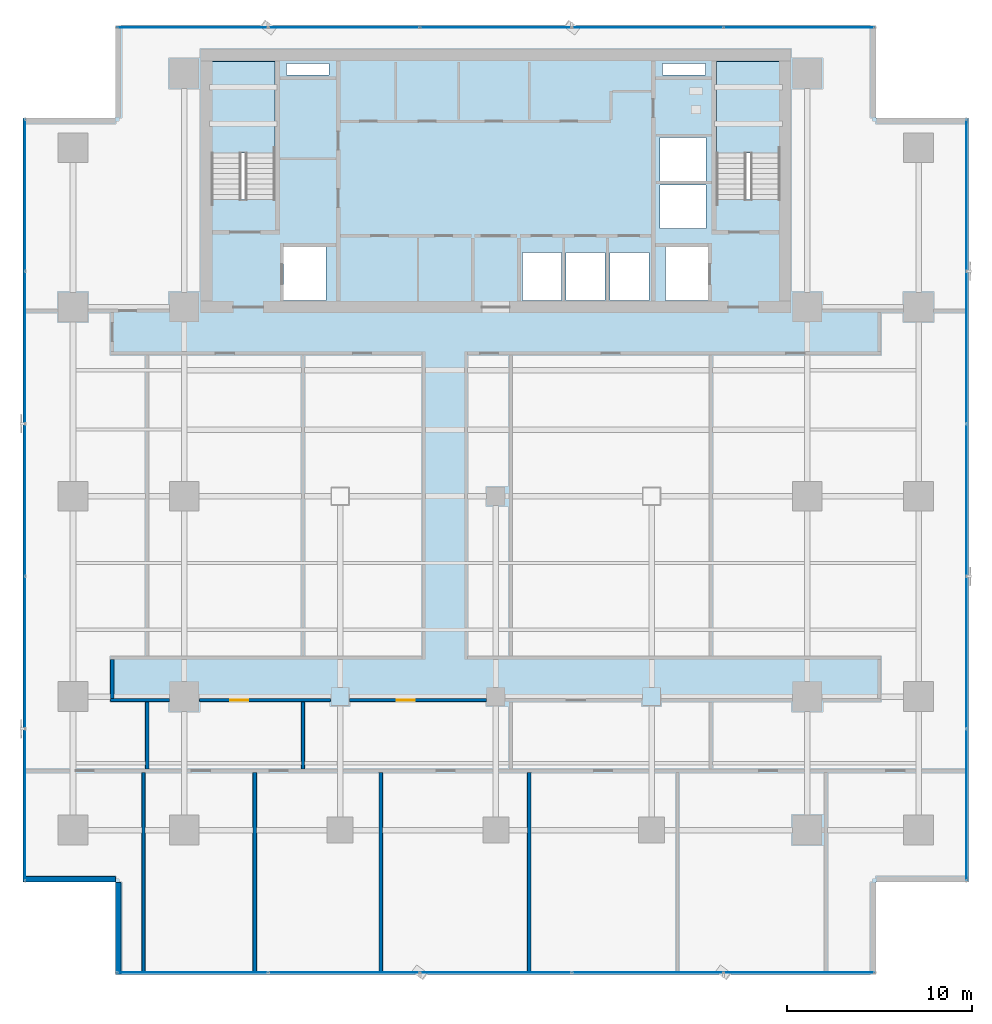
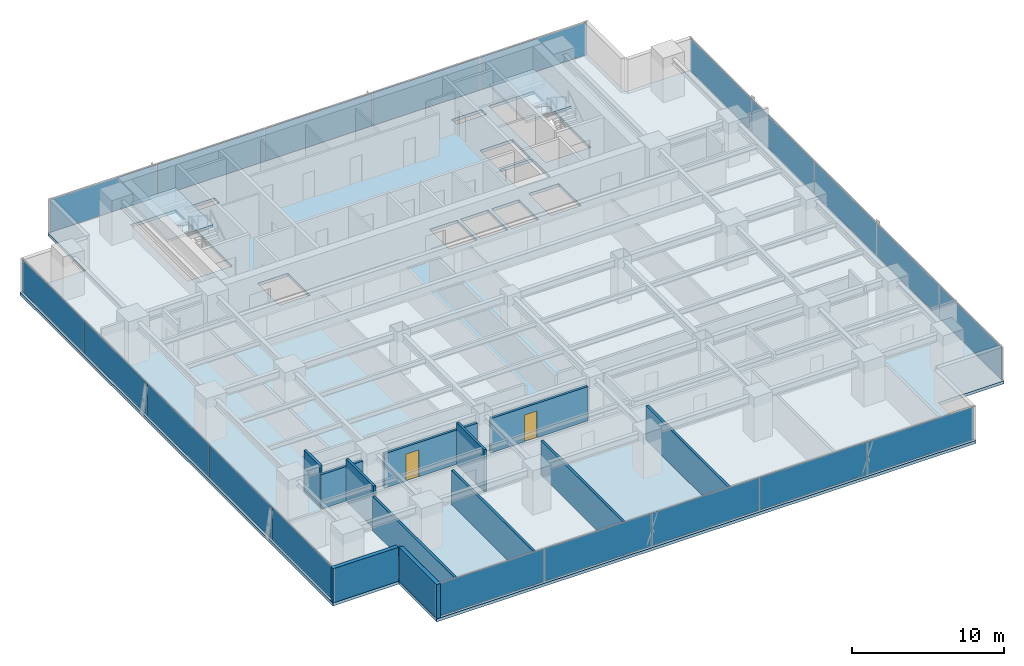
# One storey, part 27 of 37: 20 plates, 12 walls, 3 slabs, 2 doors, 2 openings, 6 elements without a shape of their own.
"""IFC4 building model written with IfcOpenShell, lengths in metres."""

import ifcopenshell
import ifcopenshell.guid

model = None  # the IFC model being written
_history = None  # IfcOwnerHistory: only IFC2X3 demands one
_inside = {}  # id of a spatial element -> (the spatial element, [elements in it])
_under = {}  # id of a project, library or spatial element -> (it, [spatial elements below it])
_declared = {}  # id of a project -> (the project, [libraries it declares])
_typed = {}  # id of a type object -> (the type object, [elements of that type])
_made_of = {}  # id of a material, layer set ... -> (it, [elements and type objects made of it])


def new_model(schema):
    """Start an empty IFC model of exactly this schema.

    Asked for "IFC4X3", IfcOpenShell would pick the latest addendum, in which some entities
    have other attributes; the version numbers below select the first issue.
    IFC2X3 requires an IfcOwnerHistory on every rooted entity: one is made here for all.
    """
    global model, _history
    if schema == "IFC4X3":
        model = ifcopenshell.file(schema_version=(4, 3, 0, 0))
    else:
        model = ifcopenshell.file(schema=schema)
    _inside.clear()
    _under.clear()
    _declared.clear()
    _typed.clear()
    _made_of.clear()
    _history = None
    if model.schema == "IFC2X3":
        org = make("IfcOrganization", Name="unknown")
        user = make(
            "IfcPersonAndOrganization",
            ThePerson=make("IfcPerson", FamilyName="unknown"),
            TheOrganization=org,
        )
        app = make(
            "IfcApplication",
            ApplicationDeveloper=org,
            Version="unknown",
            ApplicationFullName="unknown",
            ApplicationIdentifier="unknown",
        )
        _history = make(
            "IfcOwnerHistory",
            OwningUser=user,
            OwningApplication=app,
            ChangeAction="ADDED",
            CreationDate=0,
        )
    return model


def make(cls, **values):
    """One entity of the class cls with the attributes given. An attribute that is None is left unset."""
    return model.create_entity(
        cls, **{name: value for name, value in values.items() if value is not None}
    )


def rooted(cls, **values):
    """An entity with a GlobalId (a new one), such as an element, a storey or a relation."""
    return make(cls, GlobalId=ifcopenshell.guid.new(), OwnerHistory=_history, **values)


def si_unit(unit_type, name, prefix=None):
    """IfcSIUnit, for example si_unit("LENGTHUNIT", "METRE", prefix="MILLI")."""
    return make("IfcSIUnit", UnitType=unit_type, Prefix=prefix, Name=name)


def assignment(units):
    """IfcUnitAssignment: the units of a project."""
    return None if units is None else make("IfcUnitAssignment", Units=units)


def point(xyz):
    """IfcCartesianPoint."""
    return None if xyz is None else make("IfcCartesianPoint", Coordinates=xyz)


def direction(xyz):
    """IfcDirection."""
    return None if xyz is None else make("IfcDirection", DirectionRatios=xyz)


def frame(location, z_axis=None, x_axis=None):
    """IfcAxis2Placement3D, a coordinate frame: its origin and axes. An axis left out is left unset."""
    return make(
        "IfcAxis2Placement3D",
        Location=point(location),
        Axis=direction(z_axis),
        RefDirection=direction(x_axis),
    )


def frame_2d(location, x_axis=None):
    """IfcAxis2Placement2D, a coordinate frame in the plane: its origin and x axis."""
    return make(
        "IfcAxis2Placement2D", Location=point(location), RefDirection=direction(x_axis)
    )


def origin():
    """The frame at (0, 0, 0) with its axes left unset."""
    return frame((0.0, 0.0, 0.0))


def origin_2d():
    """The frame at (0, 0) in the plane with its x axis left unset."""
    return frame_2d((0.0, 0.0))


def place(relative_to, where):
    """IfcLocalPlacement: puts the frame where relative to a parent placement (None: the world)."""
    return make(
        "IfcLocalPlacement", PlacementRelTo=relative_to, RelativePlacement=where
    )


def context(
    kind, dimensions, precision=None, world=None, true_north=None, identifier=None
):
    """IfcGeometricRepresentationContext, for example the 3D "Model" context."""
    return make(
        "IfcGeometricRepresentationContext",
        ContextIdentifier=identifier,
        ContextType=kind,
        CoordinateSpaceDimension=dimensions,
        Precision=precision,
        WorldCoordinateSystem=world,
        TrueNorth=true_north,
    )


def subcontext(parent, identifier, kind, view, scale=None):
    """IfcGeometricRepresentationSubContext, for example "Body" below "Model"."""
    return make(
        "IfcGeometricRepresentationSubContext",
        ContextIdentifier=identifier,
        ContextType=kind,
        ParentContext=parent,
        TargetScale=scale,
        TargetView=view,
    )


def project(units=None, contexts=None):
    """IfcProject with its units and contexts."""
    return rooted(
        "IfcProject",
        Name="project",
        RepresentationContexts=contexts,
        UnitsInContext=assignment(units),
    )


def spatial(cls, under=None, at=None, **own):
    """A site, building, storey or space (cls), placed at a placement, below another one or the project."""
    s = rooted(cls, ObjectPlacement=at, **own)
    if under is not None:
        _under.setdefault(under.id(), (under, []))[1].append(s)
    return s


def polyline(points):
    """IfcPolyline through the points."""
    return make("IfcPolyline", Points=[point(p) for p in points])


def profile(cls, at=None, kind="AREA", **sizes):
    """A parametric profile (cls). Its sizes go by their IFC names, for example OverallWidth=200.0."""
    return make(cls, ProfileType=kind, Position=at, **sizes)


def rectangle(**sizes):
    """IfcRectangleProfileDef."""
    return profile("IfcRectangleProfileDef", **sizes)


def outline(outer, holes=None, kind="AREA"):
    """IfcArbitraryClosedProfileDef: a profile drawn as a closed curve; with holes, ...WithVoids."""
    if holes is None:
        return make("IfcArbitraryClosedProfileDef", ProfileType=kind, OuterCurve=outer)
    return make(
        "IfcArbitraryProfileDefWithVoids",
        ProfileType=kind,
        OuterCurve=outer,
        InnerCurves=holes,
    )


def extrude(swept, where, along, depth):
    """IfcExtrudedAreaSolid: the profile swept, set in the frame where, extruded along a direction by depth."""
    return make(
        "IfcExtrudedAreaSolid",
        SweptArea=swept,
        Position=where,
        ExtrudedDirection=direction(along),
        Depth=depth,
    )


def shape(context_of_items, identifier, shape_type, items):
    """IfcShapeRepresentation: the items that make up one representation, for example the "Body"."""
    return make(
        "IfcShapeRepresentation",
        ContextOfItems=context_of_items,
        RepresentationIdentifier=identifier,
        RepresentationType=shape_type,
        Items=items,
    )


def source(mapping_origin, context_of_items, identifier, shape_type, items):
    """IfcRepresentationMap: a shape defined once, which mapped items show again and again."""
    return make(
        "IfcRepresentationMap",
        MappingOrigin=mapping_origin,
        MappedRepresentation=shape(context_of_items, identifier, shape_type, items),
    )


def transform(
    local_origin,
    x_axis=None,
    y_axis=None,
    z_axis=None,
    scale=None,
    scale2=None,
    scale3=None,
    uniform=True,
):
    """IfcCartesianTransformationOperator3D, or its non-uniform kind. x_axis, y_axis, z_axis: its Axis1, 2, 3."""
    if uniform:
        return make(
            "IfcCartesianTransformationOperator3D",
            Axis1=direction(x_axis),
            Axis2=direction(y_axis),
            LocalOrigin=point(local_origin),
            Scale=scale,
            Axis3=direction(z_axis),
        )
    return make(
        "IfcCartesianTransformationOperator3DnonUniform",
        Axis1=direction(x_axis),
        Axis2=direction(y_axis),
        LocalOrigin=point(local_origin),
        Scale=scale,
        Axis3=direction(z_axis),
        Scale2=scale2,
        Scale3=scale3,
    )


def mapped(mapping_source, mapping_target):
    """IfcMappedItem: shows the shape of a source again, moved by a transform."""
    return make(
        "IfcMappedItem", MappingSource=mapping_source, MappingTarget=mapping_target
    )


def material(Name=None, Category=None):
    """IfcMaterial."""
    return make("IfcMaterial", Name=Name, Category=Category)


def layer(
    of_material, thickness, ventilated=None, Name=None, Category=None, Priority=None
):
    """IfcMaterialLayer: one layer of a wall or slab, of a material (None: an air gap)."""
    return make(
        "IfcMaterialLayer",
        Material=of_material,
        LayerThickness=thickness,
        IsVentilated=ventilated,
        Name=Name,
        Category=Category,
        Priority=Priority,
    )


def layer_set(layers, Name=None):
    """IfcMaterialLayerSet."""
    return make("IfcMaterialLayerSet", MaterialLayers=layers, LayerSetName=Name)


def made_of(thing, what):
    """Note that an element or type object is made of a material, layer set ...; save() writes the relation."""
    if what is not None:
        _made_of.setdefault(what.id(), (what, []))[1].append(thing)
    return thing


def type_object(cls, material=None, **own):
    """A type object (cls), such as IfcWallType, which elements share."""
    return made_of(rooted(cls, **own), material)


def element(
    cls,
    number,
    at=None,
    inside=None,
    cuts=None,
    type_object=None,
    material=None,
    context=None,
    identifier="Body",
    shape_type=None,
    held_by="IfcProductDefinitionShape",
    body=None,
    shapes=None,
    **own,
):
    """One element of the class cls, such as IfcWall. Its Tag is "e" and its number.

    at: its placement. inside: the storey or other place that contains it. cuts: it is an
    opening in that element (IfcRelVoidsElement). A single representation is given by context,
    identifier, shape_type and body (its items); several are given by shapes. held_by: the class
    of the entity that holds the representations. save() writes the other relations.
    """
    e = rooted(cls, Tag="e%d" % number, ObjectPlacement=at, **own)
    if body is not None:
        shapes = [shape(context, identifier, shape_type, body)]
    if shapes is not None:
        e.Representation = make(held_by, Representations=shapes)
    if inside is not None:
        _inside.setdefault(inside.id(), (inside, []))[1].append(e)
    if cuts is not None:
        rooted(
            "IfcRelVoidsElement", RelatingBuildingElement=cuts, RelatedOpeningElement=e
        )
    if type_object is not None:
        _typed.setdefault(type_object.id(), (type_object, []))[1].append(e)
    return made_of(e, material)


def fill(opening, filler):
    """IfcRelFillsElement: the door or window that sits in an opening."""
    return rooted(
        "IfcRelFillsElement",
        RelatingOpeningElement=opening,
        RelatedBuildingElement=filler,
    )


def aggregate(whole, parts):
    """IfcRelAggregates: a whole, such as a stair, and the parts it consists of."""
    return rooted("IfcRelAggregates", RelatingObject=whole, RelatedObjects=parts)


def save(model, path):
    """Write the relations noted so far, then the file.

    IfcRelAggregates (storeys below a building ...), IfcRelContainedInSpatialStructure (elements
    in a storey), IfcRelDefinesByType, IfcRelAssociatesMaterial and IfcRelDeclares: one each for
    every whole, place, type object, material and project.
    """
    for whole, parts in _under.values():
        aggregate(whole, parts)
    for where, things in _inside.values():
        rooted(
            "IfcRelContainedInSpatialStructure",
            RelatedElements=things,
            RelatingStructure=where,
        )
    for kind, things in _typed.values():
        rooted("IfcRelDefinesByType", RelatedObjects=things, RelatingType=kind)
    for what, things in _made_of.values():
        rooted("IfcRelAssociatesMaterial", RelatedObjects=things, RelatingMaterial=what)
    for by, libraries in _declared.values():
        rooted("IfcRelDeclares", RelatingContext=by, RelatedDefinitions=libraries)
    model.write(path)


model = new_model("IFC4")

# Units and contexts
model_context = context("Model", 3, precision=1e-05, world=origin(), true_north=direction((0.0, 1.0)))
body_context = subcontext(model_context, "Body", "Model", "MODEL_VIEW")
ifc_project = project(units=[si_unit("LENGTHUNIT", "METRE"), si_unit("AREAUNIT", "SQUARE_METRE"), si_unit("VOLUMEUNIT", "CUBIC_METRE"), si_unit("PLANEANGLEUNIT", "RADIAN"), si_unit("MASSUNIT", "GRAM", prefix="KILO")], contexts=[model_context])

# Site, building, storey
site_placement = place(None, origin())
site = spatial("IfcSite", under=ifc_project, at=site_placement, CompositionType="ELEMENT")
building_placement = place(site_placement, origin())
building = spatial("IfcBuilding", under=site, at=building_placement, Name="Sumidabori Civic Tower", CompositionType="ELEMENT")
storey_placement = place(building_placement, frame((0.0, 0.0, 117.199951171875)))
storey = spatial("IfcBuildingStorey", under=building, at=storey_placement, Name="L30", CompositionType="ELEMENT", Elevation=117.199951171875)

# Stair, slab
ifc_material_1 = material(Name="Concrete C40/50", Category="concrete")
stair_type = type_object("IfcStairType", Name="ST-CORE-1600", PredefinedType="HALF_TURN_STAIR", material=ifc_material_1)
stair_1_placement = place(storey_placement, origin())
stair_1 = element("IfcStair", 1, at=stair_1_placement, inside=storey, type_object=stair_type, Name="L30 ST-1", PredefinedType="HALF_TURN_STAIR")
ifc_layer_1 = layer(ifc_material_1, 0.199951171875, Name="Concrete C40/50")
ifc_layer_set_1 = layer_set([ifc_layer_1], Name="Concrete C40/50")
slab_type_1 = type_object("IfcSlabType", Name="SL-LAND-200", PredefinedType="LANDING", material=ifc_layer_set_1)
slab_1_placement = place(storey_placement, frame((0.0, 0.0, 1.60009765625)))
slab_1 = element("IfcSlab", 2, at=slab_1_placement, type_object=slab_type_1, Name="ST-1 landing 1", PredefinedType="LANDING", context=body_context, shape_type="SweptSolid", body=[
    extrude(outline(polyline([(-11.89990234375, 18.52001953125), (-11.89990234375, 23.449951171875), (-15.340087890625, 23.449951171875), (-15.340087890625, 18.52001953125), (-11.89990234375, 18.52001953125)])), origin(), (0.0, 0.0, 1.0), 0.199951171875),
])
aggregate(stair_1, [slab_1])

stair_2_placement = place(storey_placement, origin())
stair_2 = element("IfcStair", 3, at=stair_2_placement, inside=storey, type_object=stair_type, Name="L30 ST-2", PredefinedType="HALF_TURN_STAIR")
slab_2_placement = place(storey_placement, frame((0.0, 0.0, 1.60009765625)))
slab_2 = element("IfcSlab", 4, at=slab_2_placement, type_object=slab_type_1, Name="ST-2 landing 1", PredefinedType="LANDING", context=body_context, shape_type="SweptSolid", body=[
    extrude(outline(polyline([(15.340087890625, 18.52001953125), (15.340087890625, 23.449951171875), (11.89990234375, 23.449951171875), (11.89990234375, 18.52001953125), (15.340087890625, 18.52001953125)])), origin(), (0.0, 0.0, 1.0), 0.199951171875),
])
aggregate(stair_2, [slab_2])

# Slab
ifc_layer_2 = layer(ifc_material_1, 0.239990234375, Name="Concrete C40/50")
ifc_layer_set_2 = layer_set([ifc_layer_2], Name="Concrete C40/50")
slab_type_2 = type_object("IfcSlabType", Name="SL-Z1-240", PredefinedType="FLOOR", material=ifc_layer_set_2)
slab_3_placement = place(storey_placement, frame((0.0, 0.0, -0.239990234375)))
element("IfcSlab", 5, at=slab_3_placement, inside=storey, type_object=slab_type_2, Name="Structural Slab L30", PredefinedType="FLOOR", context=body_context, shape_type="SweptSolid", body=[
    extrude(outline(polyline([(-20.5, -25.800048828125), (20.5, -25.800048828125), (20.5, -20.800048828125), (25.5, -20.800048828125), (25.5, 20.39990234375), (20.5, 20.39990234375), (20.5, 25.39990234375), (-20.5, 25.39990234375), (-20.5, 20.39990234375), (-25.5, 20.39990234375), (-25.5, -20.800048828125), (-20.5, -20.800048828125), (-20.5, -25.800048828125)]), holes=[polyline([(-11.89990234375, 16.0), (-11.89990234375, 23.449951171875), (-15.340087890625, 23.449951171875), (-15.340087890625, 16.0), (-11.89990234375, 16.0)]), polyline([(15.340087890625, 16.0), (15.340087890625, 23.449951171875), (11.89990234375, 23.449951171875), (11.89990234375, 16.0), (15.340087890625, 16.0)]), polyline([(-11.449951171875, 10.550048828125), (-9.14990234375, 10.550048828125), (-9.14990234375, 13.449951171875), (-11.449951171875, 13.449951171875), (-11.449951171875, 10.550048828125)]), polyline([(9.14990234375, 10.550048828125), (11.449951171875, 10.550048828125), (11.449951171875, 13.449951171875), (9.14990234375, 13.449951171875), (9.14990234375, 10.550048828125)]), polyline([(1.449951171875, 10.550048828125), (3.550048828125, 10.550048828125), (3.550048828125, 13.14990234375), (1.449951171875, 13.14990234375), (1.449951171875, 10.550048828125)]), polyline([(3.800048828125, 10.550048828125), (5.89990234375, 10.550048828125), (5.89990234375, 13.14990234375), (3.800048828125, 13.14990234375), (3.800048828125, 10.550048828125)]), polyline([(6.14990234375, 10.550048828125), (8.25, 10.550048828125), (8.25, 13.14990234375), (6.14990234375, 13.14990234375), (6.14990234375, 10.550048828125)]), polyline([(8.85009765625, 14.449951171875), (11.35009765625, 14.449951171875), (11.35009765625, 16.800048828125), (8.85009765625, 16.800048828125), (8.85009765625, 14.449951171875)]), polyline([(8.85009765625, 17.0), (11.35009765625, 17.0), (11.35009765625, 19.35009765625), (8.85009765625, 19.35009765625), (8.85009765625, 17.0)]), polyline([(-11.300048828125, 22.719970703125), (-9.0, 22.719970703125), (-9.0, 23.35009765625), (-11.300048828125, 23.35009765625), (-11.300048828125, 22.719970703125)]), polyline([(9.0, 22.719970703125), (11.300048828125, 22.719970703125), (11.300048828125, 23.35009765625), (9.0, 23.35009765625), (9.0, 22.719970703125)])]), origin(), (0.0, 0.0, 1.0), 0.239990234375),
])

# Curtain wall, plates
ifc_material_2 = material(Name="Anodised Bronze Aluminium AW-6063-T6", Category="aluminium")
ifc_layer_3 = layer(ifc_material_2, 0.179931640625, Name="Anodised Bronze Aluminium AW-6063-T6")
ifc_layer_set_3 = layer_set([ifc_layer_3], Name="Anodised Bronze Aluminium AW-6063-T6")
curtain_wall_type = type_object("IfcCurtainWallType", Name="CW-SYS-3", PredefinedType="NOTDEFINED", material=ifc_layer_set_3)
curtain_wall_1_placement = place(storey_placement, origin())
curtain_wall_1 = element("IfcCurtainWall", 6, at=curtain_wall_1_placement, inside=storey, type_object=curtain_wall_type, Name="Curtain Wall CW:L30:R01", PredefinedType="NOTDEFINED")
ifc_material_3 = material(Name="Low-E Solar-Control Vision Glazing", Category="glass")
ifc_layer_4 = layer(ifc_material_3, 0.028076171875, Name="Low-E Solar-Control Vision Glazing")
ifc_layer_set_4 = layer_set([ifc_layer_4], Name="Low-E Solar-Control Vision Glazing")
plate_type = type_object("IfcPlateType", Name="CW-PNL-28", PredefinedType="CURTAIN_PANEL", material=ifc_layer_set_4)
shared_shape_1 = source(origin(), body_context, "Body", "SweptSolid", [
    extrude(rectangle(XDim=8.090576171875, YDim=0.028076171875, at=origin_2d()), origin(), (0.0, 0.0, 1.0), 2.6201171875),
])
plate_1_placement = place(storey_placement, frame((-16.35986328125, -25.679931640625, 0.06005859375), z_axis=(0.0, 0.0, 1.0), x_axis=(1.0, 0.0, 0.0)))
plate_1 = element("IfcPlate", 7, at=plate_1_placement, type_object=plate_type, Name="CW-3 panel 1.1", PredefinedType="CURTAIN_PANEL", context=body_context, shape_type="MappedRepresentation", body=[
    mapped(shared_shape_1, transform((0.0, 0.0, 0.0), x_axis=(1.0, 0.0, 0.0), y_axis=(0.0, 1.0, 0.0), z_axis=(0.0, 0.0, 1.0), scale=1.0)),
])
plate_2_placement = place(storey_placement, frame((16.35986328125, -25.679931640625, 0.06005859375), z_axis=(0.0, 0.0, 1.0), x_axis=(1.0, 0.0, 0.0)))
plate_2 = element("IfcPlate", 8, at=plate_2_placement, type_object=plate_type, Name="CW-3 panel 5.1", PredefinedType="CURTAIN_PANEL", context=body_context, shape_type="MappedRepresentation", body=[
    mapped(shared_shape_1, transform((0.0, 0.0, 0.0), x_axis=(1.0, 0.0, 0.0), y_axis=(0.0, 1.0, 0.0), z_axis=(0.0, 0.0, 1.0), scale=1.0)),
])

curtain_wall_2_placement = place(storey_placement, origin())
curtain_wall_2 = element("IfcCurtainWall", 9, at=curtain_wall_2_placement, inside=storey, type_object=curtain_wall_type, Name="Curtain Wall CW:L30:R07", PredefinedType="NOTDEFINED")
plate_3_placement = place(storey_placement, frame((16.35986328125, 25.280029296875, 0.06005859375), z_axis=(0.0, 0.0, 1.0), x_axis=(-1.0, 0.0, 0.0)))
plate_3 = element("IfcPlate", 10, at=plate_3_placement, type_object=plate_type, Name="CW-3 panel 1.1", PredefinedType="CURTAIN_PANEL", context=body_context, shape_type="MappedRepresentation", body=[
    mapped(shared_shape_1, transform((0.0, 0.0, 0.0), x_axis=(1.0, 0.0, 0.0), y_axis=(0.0, 1.0, 0.0), z_axis=(0.0, 0.0, 1.0), scale=1.0)),
])
plate_4_placement = place(storey_placement, frame((-16.35986328125, 25.280029296875, 0.06005859375), z_axis=(0.0, 0.0, 1.0), x_axis=(-1.0, 0.0, 0.0)))
plate_4 = element("IfcPlate", 11, at=plate_4_placement, type_object=plate_type, Name="CW-3 panel 5.1", PredefinedType="CURTAIN_PANEL", context=body_context, shape_type="MappedRepresentation", body=[
    mapped(shared_shape_1, transform((0.0, 0.0, 0.0), x_axis=(1.0, 0.0, 0.0), y_axis=(0.0, 1.0, 0.0), z_axis=(0.0, 0.0, 1.0), scale=1.0)),
])

# Plate
shared_shape_2 = source(origin(), body_context, "Body", "SweptSolid", [
    extrude(rectangle(XDim=8.123046875, YDim=0.028076171875, at=origin_2d()), origin(), (0.0, 0.0, 1.0), 2.6201171875),
])
plate_5_placement = place(storey_placement, frame((-8.18798828125, -25.679931640625, 0.06005859375), z_axis=(0.0, 0.0, 1.0), x_axis=(1.0, 0.0, 0.0)))
plate_5 = element("IfcPlate", 12, at=plate_5_placement, type_object=plate_type, Name="CW-3 panel 2.1", PredefinedType="CURTAIN_PANEL", context=body_context, shape_type="MappedRepresentation", body=[
    mapped(shared_shape_2, transform((0.0, 0.0, 0.0), x_axis=(1.0, 0.0, 0.0), y_axis=(0.0, 1.0, 0.0), z_axis=(0.0, 0.0, 1.0), scale=1.0)),
])

plate_6_placement = place(storey_placement, frame((0.0, -25.679931640625, 0.06005859375), z_axis=(0.0, 0.0, 1.0), x_axis=(1.0, 0.0, 0.0)))
plate_6 = element("IfcPlate", 13, at=plate_6_placement, type_object=plate_type, Name="CW-3 panel 3.1", PredefinedType="CURTAIN_PANEL", context=body_context, shape_type="MappedRepresentation", body=[
    mapped(shared_shape_2, transform((0.0, 0.0, 0.0), x_axis=(1.0, 0.0, 0.0), y_axis=(0.0, 1.0, 0.0), z_axis=(0.0, 0.0, 1.0), scale=1.0)),
])

plate_7_placement = place(storey_placement, frame((8.18798828125, -25.679931640625, 0.06005859375), z_axis=(0.0, 0.0, 1.0), x_axis=(1.0, 0.0, 0.0)))
plate_7 = element("IfcPlate", 14, at=plate_7_placement, type_object=plate_type, Name="CW-3 panel 4.1", PredefinedType="CURTAIN_PANEL", context=body_context, shape_type="MappedRepresentation", body=[
    mapped(shared_shape_2, transform((0.0, 0.0, 0.0), x_axis=(1.0, 0.0, 0.0), y_axis=(0.0, 1.0, 0.0), z_axis=(0.0, 0.0, 1.0), scale=1.0)),
])

aggregate(curtain_wall_1, [plate_1, plate_5, plate_6, plate_7, plate_2])

plate_8_placement = place(storey_placement, frame((8.18798828125, 25.280029296875, 0.06005859375), z_axis=(0.0, 0.0, 1.0), x_axis=(-1.0, 0.0, 0.0)))
plate_8 = element("IfcPlate", 15, at=plate_8_placement, type_object=plate_type, Name="CW-3 panel 2.1", PredefinedType="CURTAIN_PANEL", context=body_context, shape_type="MappedRepresentation", body=[
    mapped(shared_shape_2, transform((0.0, 0.0, 0.0), x_axis=(1.0, 0.0, 0.0), y_axis=(0.0, 1.0, 0.0), z_axis=(0.0, 0.0, 1.0), scale=1.0)),
])

plate_9_placement = place(storey_placement, frame((0.0, 25.280029296875, 0.06005859375), z_axis=(0.0, 0.0, 1.0), x_axis=(-1.0, 0.0, 0.0)))
plate_9 = element("IfcPlate", 16, at=plate_9_placement, type_object=plate_type, Name="CW-3 panel 3.1", PredefinedType="CURTAIN_PANEL", context=body_context, shape_type="MappedRepresentation", body=[
    mapped(shared_shape_2, transform((0.0, 0.0, 0.0), x_axis=(1.0, 0.0, 0.0), y_axis=(0.0, 1.0, 0.0), z_axis=(0.0, 0.0, 1.0), scale=1.0)),
])

plate_10_placement = place(storey_placement, frame((-8.18798828125, 25.280029296875, 0.06005859375), z_axis=(0.0, 0.0, 1.0), x_axis=(-1.0, 0.0, 0.0)))
plate_10 = element("IfcPlate", 17, at=plate_10_placement, type_object=plate_type, Name="CW-3 panel 4.1", PredefinedType="CURTAIN_PANEL", context=body_context, shape_type="MappedRepresentation", body=[
    mapped(shared_shape_2, transform((0.0, 0.0, 0.0), x_axis=(1.0, 0.0, 0.0), y_axis=(0.0, 1.0, 0.0), z_axis=(0.0, 0.0, 1.0), scale=1.0)),
])

aggregate(curtain_wall_2, [plate_3, plate_8, plate_9, plate_10, plate_4])

# Curtain wall, plates
curtain_wall_3_placement = place(storey_placement, origin())
curtain_wall_3 = element("IfcCurtainWall", 18, at=curtain_wall_3_placement, inside=storey, type_object=curtain_wall_type, Name="Curtain Wall CW:L30:R04", PredefinedType="NOTDEFINED")
shared_shape_3 = source(origin(), body_context, "Body", "SweptSolid", [
    extrude(rectangle(XDim=8.130615234375, YDim=0.028076171875, at=origin_2d()), origin(), (0.0, 0.0, 1.0), 2.6201171875),
])
plate_11_placement = place(storey_placement, frame((25.3798828125, -16.6396484375, 0.06005859375), z_axis=(0.0, 0.0, 1.0), x_axis=(0.0, 1.0, 0.0)))
plate_11 = element("IfcPlate", 19, at=plate_11_placement, type_object=plate_type, Name="CW-3 panel 1.1", PredefinedType="CURTAIN_PANEL", context=body_context, shape_type="MappedRepresentation", body=[
    mapped(shared_shape_3, transform((0.0, 0.0, 0.0), x_axis=(1.0, 0.0, 0.0), y_axis=(0.0, 1.0, 0.0), z_axis=(0.0, 0.0, 1.0), scale=1.0)),
])
plate_12_placement = place(storey_placement, frame((25.3798828125, 16.23974609375, 0.06005859375), z_axis=(0.0, 0.0, 1.0), x_axis=(0.0, 1.0, 0.0)))
plate_12 = element("IfcPlate", 20, at=plate_12_placement, type_object=plate_type, Name="CW-3 panel 5.1", PredefinedType="CURTAIN_PANEL", context=body_context, shape_type="MappedRepresentation", body=[
    mapped(shared_shape_3, transform((0.0, 0.0, 0.0), x_axis=(1.0, 0.0, 0.0), y_axis=(0.0, 1.0, 0.0), z_axis=(0.0, 0.0, 1.0), scale=1.0)),
])

curtain_wall_4_placement = place(storey_placement, origin())
curtain_wall_4 = element("IfcCurtainWall", 21, at=curtain_wall_4_placement, inside=storey, type_object=curtain_wall_type, Name="Curtain Wall CW:L30:R10", PredefinedType="NOTDEFINED")
plate_13_placement = place(storey_placement, frame((-25.3798828125, 16.23974609375, 0.06005859375), z_axis=(0.0, 0.0, 1.0), x_axis=(0.0, -1.0, 0.0)))
plate_13 = element("IfcPlate", 22, at=plate_13_placement, type_object=plate_type, Name="CW-3 panel 1.1", PredefinedType="CURTAIN_PANEL", context=body_context, shape_type="MappedRepresentation", body=[
    mapped(shared_shape_3, transform((0.0, 0.0, 0.0), x_axis=(1.0, 0.0, 0.0), y_axis=(0.0, 1.0, 0.0), z_axis=(0.0, 0.0, 1.0), scale=1.0)),
])
plate_14_placement = place(storey_placement, frame((-25.3798828125, -16.6396484375, 0.06005859375), z_axis=(0.0, 0.0, 1.0), x_axis=(0.0, -1.0, 0.0)))
plate_14 = element("IfcPlate", 23, at=plate_14_placement, type_object=plate_type, Name="CW-3 panel 5.1", PredefinedType="CURTAIN_PANEL", context=body_context, shape_type="MappedRepresentation", body=[
    mapped(shared_shape_3, transform((0.0, 0.0, 0.0), x_axis=(1.0, 0.0, 0.0), y_axis=(0.0, 1.0, 0.0), z_axis=(0.0, 0.0, 1.0), scale=1.0)),
])

# Plate
shared_shape_4 = source(origin(), body_context, "Body", "SweptSolid", [
    extrude(rectangle(XDim=8.1630859375, YDim=0.028076171875, at=origin_2d()), origin(), (0.0, 0.0, 1.0), 2.6201171875),
])
plate_15_placement = place(storey_placement, frame((25.3798828125, -8.427978515625, 0.06005859375), z_axis=(0.0, 0.0, 1.0), x_axis=(0.0, 1.0, 0.0)))
plate_15 = element("IfcPlate", 24, at=plate_15_placement, type_object=plate_type, Name="CW-3 panel 2.1", PredefinedType="CURTAIN_PANEL", context=body_context, shape_type="MappedRepresentation", body=[
    mapped(shared_shape_4, transform((0.0, 0.0, 0.0), x_axis=(1.0, 0.0, 0.0), y_axis=(0.0, 1.0, 0.0), z_axis=(0.0, 0.0, 1.0), scale=1.0)),
])

plate_16_placement = place(storey_placement, frame((25.3798828125, -0.199951171875, 0.06005859375), z_axis=(0.0, 0.0, 1.0), x_axis=(0.0, 1.0, 0.0)))
plate_16 = element("IfcPlate", 25, at=plate_16_placement, type_object=plate_type, Name="CW-3 panel 3.1", PredefinedType="CURTAIN_PANEL", context=body_context, shape_type="MappedRepresentation", body=[
    mapped(shared_shape_4, transform((0.0, 0.0, 0.0), x_axis=(1.0, 0.0, 0.0), y_axis=(0.0, 1.0, 0.0), z_axis=(0.0, 0.0, 1.0), scale=1.0)),
])

plate_17_placement = place(storey_placement, frame((25.3798828125, 8.028076171875, 0.06005859375), z_axis=(0.0, 0.0, 1.0), x_axis=(0.0, 1.0, 0.0)))
plate_17 = element("IfcPlate", 26, at=plate_17_placement, type_object=plate_type, Name="CW-3 panel 4.1", PredefinedType="CURTAIN_PANEL", context=body_context, shape_type="MappedRepresentation", body=[
    mapped(shared_shape_4, transform((0.0, 0.0, 0.0), x_axis=(1.0, 0.0, 0.0), y_axis=(0.0, 1.0, 0.0), z_axis=(0.0, 0.0, 1.0), scale=1.0)),
])

aggregate(curtain_wall_3, [plate_11, plate_15, plate_16, plate_17, plate_12])

plate_18_placement = place(storey_placement, frame((-25.3798828125, 8.028076171875, 0.06005859375), z_axis=(0.0, 0.0, 1.0), x_axis=(0.0, -1.0, 0.0)))
plate_18 = element("IfcPlate", 27, at=plate_18_placement, type_object=plate_type, Name="CW-3 panel 2.1", PredefinedType="CURTAIN_PANEL", context=body_context, shape_type="MappedRepresentation", body=[
    mapped(shared_shape_4, transform((0.0, 0.0, 0.0), x_axis=(1.0, 0.0, 0.0), y_axis=(0.0, 1.0, 0.0), z_axis=(0.0, 0.0, 1.0), scale=1.0)),
])

plate_19_placement = place(storey_placement, frame((-25.3798828125, -0.199951171875, 0.06005859375), z_axis=(0.0, 0.0, 1.0), x_axis=(0.0, -1.0, 0.0)))
plate_19 = element("IfcPlate", 28, at=plate_19_placement, type_object=plate_type, Name="CW-3 panel 3.1", PredefinedType="CURTAIN_PANEL", context=body_context, shape_type="MappedRepresentation", body=[
    mapped(shared_shape_4, transform((0.0, 0.0, 0.0), x_axis=(1.0, 0.0, 0.0), y_axis=(0.0, 1.0, 0.0), z_axis=(0.0, 0.0, 1.0), scale=1.0)),
])

plate_20_placement = place(storey_placement, frame((-25.3798828125, -8.427978515625, 0.06005859375), z_axis=(0.0, 0.0, 1.0), x_axis=(0.0, -1.0, 0.0)))
plate_20 = element("IfcPlate", 29, at=plate_20_placement, type_object=plate_type, Name="CW-3 panel 4.1", PredefinedType="CURTAIN_PANEL", context=body_context, shape_type="MappedRepresentation", body=[
    mapped(shared_shape_4, transform((0.0, 0.0, 0.0), x_axis=(1.0, 0.0, 0.0), y_axis=(0.0, 1.0, 0.0), z_axis=(0.0, 0.0, 1.0), scale=1.0)),
])

aggregate(curtain_wall_4, [plate_13, plate_18, plate_19, plate_20, plate_14])

# Walls
ifc_material_4 = material(Name="Precast concrete C40/50", Category="concrete")
ifc_layer_5 = layer(ifc_material_4, 0.300048828125, Name="Precast concrete C40/50")
ifc_layer_set_5 = layer_set([ifc_layer_5], Name="Precast concrete C40/50")
wall_type_1 = type_object("IfcWallType", Name="WL-EXT-POD300", PredefinedType="STANDARD", material=ifc_layer_set_5)
shared_shape_5 = source(origin(), body_context, "Body", "SweptSolid", [
    extrude(rectangle(XDim=4.9599609375, YDim=0.300048828125, at=frame_2d((2.47998046875, 0.0))), origin(), (0.0, 0.0, 1.0), 2.739990234375),
])
for number, where, z_axis, x_axis, name in (
    (30, (-25.47998046875, -20.64990234375, 0.0), (0.0, 0.0, 1.0), (1.0, 0.0, 0.0), "Notched Corner Spandrel Band L30-11"),
    (31, (-20.35009765625, -20.820068359375, 0.0), (0.0, 0.0, 1.0), (0.0, -1.0, 0.0), "Notched Corner Spandrel Band L30-12"),
):
    element("IfcWall", number, at=place(storey_placement, frame(where, z_axis=z_axis, x_axis=x_axis)), inside=storey, type_object=wall_type_1, Name=name, PredefinedType="STANDARD", context=body_context, shape_type="MappedRepresentation", body=[
        mapped(shared_shape_5, transform((0.0, 0.0, 0.0), x_axis=(1.0, 0.0, 0.0), y_axis=(0.0, 1.0, 0.0), z_axis=(0.0, 0.0, 1.0), scale=1.0)),
    ])
ifc_material_5 = material(Name="Gypsum Plasterboard Acoustic Partition")
ifc_layer_6 = layer(ifc_material_5, 0.179931640625, Name="Gypsum Plasterboard Acoustic Partition")
ifc_layer_set_6 = layer_set([ifc_layer_6], Name="Gypsum Plasterboard Acoustic Partition")
wall_type_2 = type_object("IfcWallType", Name="WL-PART-180", PredefinedType="PARTITIONING", material=ifc_layer_set_6)
shared_shape_6 = source(origin(), body_context, "Body", "SweptSolid", [
    extrude(rectangle(XDim=3.169921875, YDim=0.179931640625, at=frame_2d((1.5849609375, 0.0))), origin(), (0.0, 0.0, 1.0), 2.7451171875),
])
wall_1_placement = place(storey_placement, frame((-20.780029296875, -10.989990234375, 0.0), z_axis=(0.0, 0.0, 1.0), x_axis=(1.0, 0.0, 0.0)))
element("IfcWall", 32, at=wall_1_placement, inside=storey, type_object=wall_type_2, Name="Interior Partition WL:L30:CORR-SS-1", PredefinedType="PARTITIONING", context=body_context, shape_type="MappedRepresentation", body=[
    mapped(shared_shape_6, transform((0.0, 0.0, 0.0), x_axis=(1.0, 0.0, 0.0), y_axis=(0.0, 1.0, 0.0), z_axis=(0.0, 0.0, 1.0), scale=1.0)),
])

# Wall, opening, door
shared_shape_7 = source(origin(), body_context, "Body", "SweptSolid", [
    extrude(rectangle(XDim=7.080078125, YDim=0.179931640625, at=frame_2d((3.5400390625, 0.0))), origin(), (0.0, 0.0, 1.0), 2.7451171875),
])
wall_2_placement = place(storey_placement, frame((-15.989990234375, -10.989990234375, 0.0), z_axis=(0.0, 0.0, 1.0), x_axis=(1.0, 0.0, 0.0)))
wall_2 = element("IfcWall", 33, at=wall_2_placement, inside=storey, type_object=wall_type_2, Name="Interior Partition WL:L30:CORR-SS-2", PredefinedType="PARTITIONING", context=body_context, shape_type="MappedRepresentation", body=[
    mapped(shared_shape_7, transform((0.0, 0.0, 0.0), x_axis=(1.0, 0.0, 0.0), y_axis=(0.0, 1.0, 0.0), z_axis=(0.0, 0.0, 1.0), scale=1.0)),
])
opening_1_placement = place(wall_2_placement, frame((1.659912109375, 0.0, 0.0)))
opening_1 = element("IfcOpeningElement", 34, at=opening_1_placement, cuts=wall_2, Name="Opening DR-3", PredefinedType="OPENING", context=body_context, shape_type="SweptSolid", body=[
    extrude(rectangle(XDim=0.97998046875, YDim=2.14990234375, at=frame_2d((0.489990234375, 1.074951171875))), frame((0.0, 0.10205078125, 0.0), z_axis=(0.0, -1.0, 0.0), x_axis=(1.0, 0.0, 0.0)), (0.0, 0.0, 1.0), 0.203857421875),
])
ifc_material_6 = material(Name="Japanese Hinoki Timber", Category="wood")
door_type = type_object("IfcDoorType", Name="DR-INT-980", OperationType="NOTDEFINED", PredefinedType="DOOR", material=ifc_material_6)
shared_shape_8 = source(origin(), body_context, "Body", "SweptSolid", [
    extrude(rectangle(XDim=0.97998046875, YDim=2.14990234375, at=frame_2d((0.489990234375, 1.074951171875))), frame((0.0, 0.02490234375, 0.0), z_axis=(0.0, -1.0, 0.0), x_axis=(1.0, 0.0, 0.0)), (0.0, 0.0, 1.0), 0.050048828125),
])
door_1_placement = place(opening_1_placement, origin())
door_1 = element("IfcDoor", 35, at=door_1_placement, inside=storey, type_object=door_type, Name="Door DR:L30:D08", OperationType="SINGLE_SWING_RIGHT", OverallHeight=2.14990234375, OverallWidth=0.97998046875, PredefinedType="DOOR", context=body_context, shape_type="MappedRepresentation", body=[
    mapped(shared_shape_8, transform((0.0, 0.0, 0.0), x_axis=(1.0, 0.0, 0.0), y_axis=(0.0, 1.0, 0.0), z_axis=(0.0, 0.0, 1.0), scale=1.0)),
])
fill(opening_1, door_1)

shared_shape_9 = source(origin(), body_context, "Body", "SweptSolid", [
    extrude(rectangle(XDim=7.3798828125, YDim=0.179931640625, at=frame_2d((3.68994140625, 0.0))), origin(), (0.0, 0.0, 1.0), 2.7451171875),
])
wall_3_placement = place(storey_placement, frame((-7.889892578125, -10.989990234375, 0.0), z_axis=(0.0, 0.0, 1.0), x_axis=(1.0, 0.0, 0.0)))
wall_3 = element("IfcWall", 36, at=wall_3_placement, inside=storey, type_object=wall_type_2, Name="Interior Partition WL:L30:CORR-SS-3", PredefinedType="PARTITIONING", context=body_context, shape_type="MappedRepresentation", body=[
    mapped(shared_shape_9, transform((0.0, 0.0, 0.0), x_axis=(1.0, 0.0, 0.0), y_axis=(0.0, 1.0, 0.0), z_axis=(0.0, 0.0, 1.0), scale=1.0)),
])
opening_2_placement = place(wall_3_placement, frame((2.5400390625, 0.0, 0.0)))
opening_2 = element("IfcOpeningElement", 37, at=opening_2_placement, cuts=wall_3, Name="Opening DR-3", PredefinedType="OPENING", context=body_context, shape_type="SweptSolid", body=[
    extrude(rectangle(XDim=0.97998046875, YDim=2.14990234375, at=frame_2d((0.489990234375, 1.074951171875))), frame((0.0, 0.10205078125, 0.0), z_axis=(0.0, -1.0, 0.0), x_axis=(1.0, 0.0, 0.0)), (0.0, 0.0, 1.0), 0.203857421875),
])
door_2_placement = place(opening_2_placement, origin())
door_2 = element("IfcDoor", 38, at=door_2_placement, inside=storey, type_object=door_type, Name="Door DR:L30:D09", OperationType="SINGLE_SWING_LEFT", OverallHeight=2.14990234375, OverallWidth=0.97998046875, PredefinedType="DOOR", context=body_context, shape_type="MappedRepresentation", body=[
    mapped(shared_shape_8, transform((0.0, 0.0, 0.0), x_axis=(1.0, 0.0, 0.0), y_axis=(0.0, 1.0, 0.0), z_axis=(0.0, 0.0, 1.0), scale=1.0)),
])
fill(opening_2, door_2)

# Walls
shared_shape_10 = source(origin(), body_context, "Body", "SweptSolid", [
    extrude(rectangle(XDim=2.090087890625, YDim=0.179931640625, at=frame_2d((1.044921875, 0.0))), origin(), (0.0, 0.0, 1.0), 3.360107421875),
])
wall_4_placement = place(storey_placement, frame((-20.68994140625, -10.89501953125, 0.0), z_axis=(0.0, 0.0, 1.0), x_axis=(0.0, 1.0, 0.0)))
element("IfcWall", 39, at=wall_4_placement, inside=storey, type_object=wall_type_2, Name="Interior Partition WL:L30:CORR-VSW", PredefinedType="PARTITIONING", context=body_context, shape_type="MappedRepresentation", body=[
    mapped(shared_shape_10, transform((0.0, 0.0, 0.0), x_axis=(1.0, 0.0, 0.0), y_axis=(0.0, 1.0, 0.0), z_axis=(0.0, 0.0, 1.0), scale=1.0)),
])
shared_shape_11 = source(origin(), body_context, "Body", "SweptSolid", [
    extrude(rectangle(XDim=3.6201171875, YDim=0.179931640625, at=frame_2d((1.81005859375, 0.0))), origin(), (0.0, 0.0, 1.0), 3.360107421875),
])
for number, where, z_axis, x_axis, name in (
    (40, (-18.800048828125, -14.705078125, 0.0), (0.0, 0.0, 1.0), (0.0, 1.0, 0.0), "Interior Partition WL:L30:VX-N1-1"),
    (41, (-10.39990234375, -14.705078125, 0.0), (0.0, 0.0, 1.0), (0.0, 1.0, 0.0), "Interior Partition WL:L30:VX-N2-1"),
):
    element("IfcWall", number, at=place(storey_placement, frame(where, z_axis=z_axis, x_axis=x_axis)), inside=storey, type_object=wall_type_2, Name=name, PredefinedType="PARTITIONING", context=body_context, shape_type="MappedRepresentation", body=[
        mapped(shared_shape_11, transform((0.0, 0.0, 0.0), x_axis=(1.0, 0.0, 0.0), y_axis=(0.0, 1.0, 0.0), z_axis=(0.0, 0.0, 1.0), scale=1.0)),
    ])
shared_shape_12 = source(origin(), body_context, "Body", "SweptSolid", [
    extrude(rectangle(XDim=10.7548828125, YDim=0.179931640625, at=frame_2d((5.37744140625, 0.0))), origin(), (0.0, 0.0, 1.0), 2.7451171875),
])
for number, where, z_axis, x_axis, name in (
    (42, (-19.0, -25.64990234375, 0.0), (0.0, 0.0, 1.0), (0.0, 1.0, 0.0), "Interior Partition WL:L30:VX-S1"),
    (43, (-13.0, -25.64990234375, 0.0), (0.0, 0.0, 1.0), (0.0, 1.0, 0.0), "Interior Partition WL:L30:VX-S2"),
    (44, (-6.199951171875, -25.64990234375, 0.0), (0.0, 0.0, 1.0), (0.0, 1.0, 0.0), "Interior Partition WL:L30:VX-S3"),
    (45, (1.800048828125, -25.64990234375, 0.0), (0.0, 0.0, 1.0), (0.0, 1.0, 0.0), "Interior Partition WL:L30:VX-S4"),
):
    element("IfcWall", number, at=place(storey_placement, frame(where, z_axis=z_axis, x_axis=x_axis)), inside=storey, type_object=wall_type_2, Name=name, PredefinedType="PARTITIONING", context=body_context, shape_type="MappedRepresentation", body=[
        mapped(shared_shape_12, transform((0.0, 0.0, 0.0), x_axis=(1.0, 0.0, 0.0), y_axis=(0.0, 1.0, 0.0), z_axis=(0.0, 0.0, 1.0), scale=1.0)),
    ])

save(model, "model.ifc")
